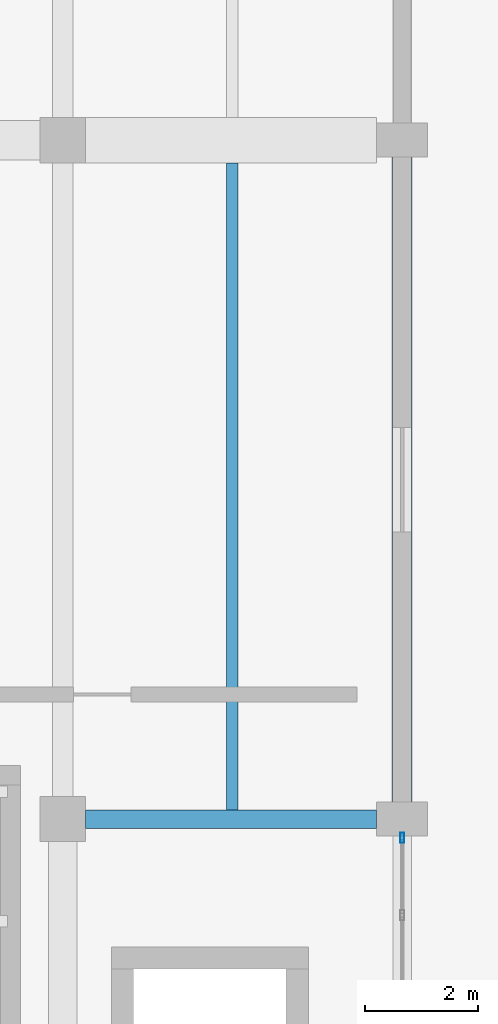
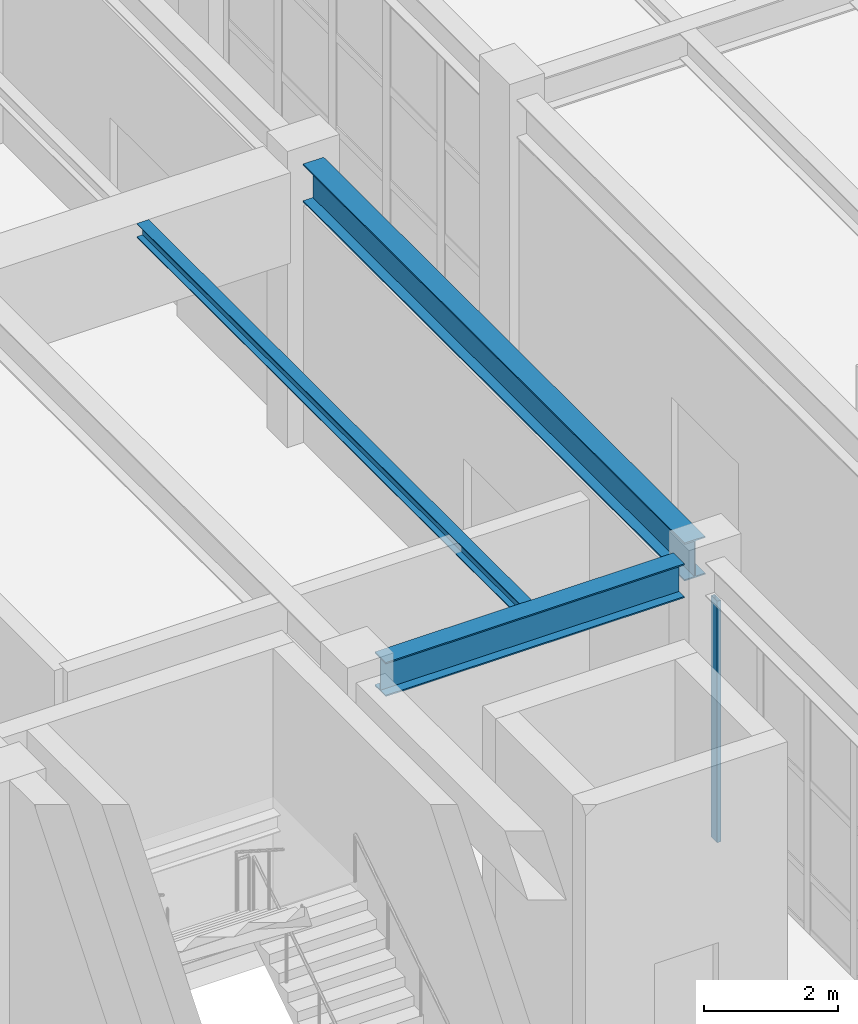
# One storey, part 25 of 91: 3 beams, 1 member, 1 element without a shape of its own.
"""IFC4 building model written with IfcOpenShell, lengths in metres."""

from ifc_helpers import new_model, si_unit, direction, frame, origin, origin_2d, place, context, subcontext, project, spatial, hollow_rectangle, i_section, extrude, material, layer, layer_set, material_profile, profile_set, type_object, element, aggregate, save


model = new_model("IFC4")

# Units and contexts
model_context = context("Model", 3, precision=1e-05, world=origin(), true_north=direction((0.0, 1.0)))
body_context = subcontext(model_context, "Body", "Model", "MODEL_VIEW")
ifc_project = project(units=[si_unit("LENGTHUNIT", "METRE"), si_unit("AREAUNIT", "SQUARE_METRE"), si_unit("VOLUMEUNIT", "CUBIC_METRE"), si_unit("PLANEANGLEUNIT", "RADIAN"), si_unit("MASSUNIT", "GRAM", prefix="KILO")], contexts=[model_context])

# Site, building, storey
site_placement = place(None, origin())
site = spatial("IfcSite", under=ifc_project, at=site_placement, CompositionType="ELEMENT")
building_placement = place(site_placement, origin())
building = spatial("IfcBuilding", under=site, at=building_placement, Name="Vaelkrest Opera House", CompositionType="ELEMENT")
storey_placement = place(building_placement, origin())
storey = spatial("IfcBuildingStorey", under=building, at=storey_placement, Name="L00", CompositionType="ELEMENT", Elevation=0.0)

# Beam
ifc_material_1 = material(Name="Steel A992 Gr50", Category="steel")
ifc_material_profile_1 = material_profile(ifc_material_1, i_section(OverallWidth=0.326904296875, OverallDepth=0.6220703125, WebThickness=0.015380859375, FlangeThickness=0.0244140625, at=origin_2d()), Name="W24X131")
ifc_profile_set_1 = profile_set([ifc_material_profile_1], Name="Steel A992 Gr50")
beam_type_1 = type_object("IfcBeamType", Name="B19", PredefinedType="BEAM", material=ifc_profile_set_1)
beam_1_placement = place(storey_placement, frame((24.39990234375, -19.800048828125, 4.76904296875), z_axis=(1.0, 0.0, 0.0), x_axis=(0.0, 1.0, 0.0)))
element("IfcBeam", 1, at=beam_1_placement, inside=storey, type_object=beam_type_1, Name="Beam BM-V1-L00-0115", PredefinedType="BEAM", context=body_context, shape_type="SweptSolid", body=[
    extrude(i_section(OverallWidth=0.326904296875, OverallDepth=0.6220703125, WebThickness=0.015380859375, FlangeThickness=0.0244140625, at=origin_2d()), origin(), (0.0, 0.0, 1.0), 5.150146484375),
])

# Curtain wall, member
ifc_material_2 = material(Name="Dark bronze anodized aluminium", Category="aluminium")
ifc_layer = layer(ifc_material_2, 0.179931640625)
ifc_layer_set = layer_set([ifc_layer], Name="Dark bronze anodized aluminium")
curtain_wall_type = type_object("IfcCurtainWallType", Name="CW01", PredefinedType="NOTDEFINED", material=ifc_layer_set)
curtain_wall_placement = place(storey_placement, origin())
curtain_wall = element("IfcCurtainWall", 2, at=curtain_wall_placement, inside=storey, type_object=curtain_wall_type, Name="Curtain wall CW-L00-018", PredefinedType="NOTDEFINED")
ifc_material_profile_2 = material_profile(ifc_material_2, hollow_rectangle(XDim=0.06494140625, YDim=0.179931640625, WallThickness=0.00390625, at=origin_2d()), Name="CWM65X180")
ifc_profile_set_2 = profile_set([ifc_material_profile_2], Name="Dark bronze anodized aluminium")
member_type = type_object("IfcMemberType", Name="CWM01", PredefinedType="MULLION", material=ifc_profile_set_2)
member_placement = place(storey_placement, frame((30.0, -20.130615234375, 0.0), z_axis=(0.0, 0.0, 1.0), x_axis=(1.0, 0.0, 0.0)))
member = element("IfcMember", 3, at=member_placement, type_object=member_type, Name="CW01 mullion 1", PredefinedType="MULLION", context=body_context, shape_type="SweptSolid", body=[
    extrude(hollow_rectangle(XDim=0.06494140625, YDim=0.179931640625, WallThickness=0.00390625, at=origin_2d()), origin(), (0.0, 0.0, 1.0), 4.404052734375),
])
aggregate(curtain_wall, [member])

# Beams
ifc_material_profile_3 = material_profile(ifc_material_1, i_section(OverallWidth=0.2041015625, OverallDepth=0.257080078125, WebThickness=0.0087890625, FlangeThickness=0.015625, at=origin_2d()), Name="W10X45")
ifc_profile_set_3 = profile_set([ifc_material_profile_3], Name="Steel A992 Gr50")
beam_type_2 = type_object("IfcBeamType", Name="J01", PredefinedType="JOIST", material=ifc_profile_set_3)
beam_2_placement = place(storey_placement, frame((27.0, -19.636474609375, 4.951416015625), z_axis=(0.0, 1.0, 0.0), x_axis=(-1.0, 0.0, 0.0)))
element("IfcBeam", 4, at=beam_2_placement, inside=storey, type_object=beam_type_2, Name="Floor joist JST-V1-L00-0201", PredefinedType="JOIST", context=body_context, shape_type="SweptSolid", body=[
    extrude(i_section(OverallWidth=0.2041015625, OverallDepth=0.257080078125, WebThickness=0.0087890625, FlangeThickness=0.015625, at=origin_2d()), origin(), (0.0, 0.0, 1.0), 11.4365234375),
])
ifc_material_profile_4 = material_profile(ifc_material_1, i_section(OverallWidth=0.35498046875, OverallDepth=0.695068359375, WebThickness=0.015380859375, FlangeThickness=0.02490234375, at=origin_2d()), Name="W27X146")
ifc_profile_set_4 = profile_set([ifc_material_profile_4], Name="Steel A992 Gr50")
beam_type_3 = type_object("IfcBeamType", Name="SP02", PredefinedType="SPANDREL", material=ifc_profile_set_4)
beam_3_placement = place(storey_placement, frame((30.0, -19.5, 4.732421875), z_axis=(0.0, 1.0, 0.0), x_axis=(-1.0, 0.0, 0.0)))
element("IfcBeam", 5, at=beam_3_placement, inside=storey, type_object=beam_type_3, Name="Beam BM-V1-L00-0185", PredefinedType="SPANDREL", context=body_context, shape_type="SweptSolid", body=[
    extrude(i_section(OverallWidth=0.35498046875, OverallDepth=0.695068359375, WebThickness=0.015380859375, FlangeThickness=0.02490234375, at=origin_2d()), origin(), (0.0, 0.0, 1.0), 11.39990234375),
])

save(model, "model.ifc")
